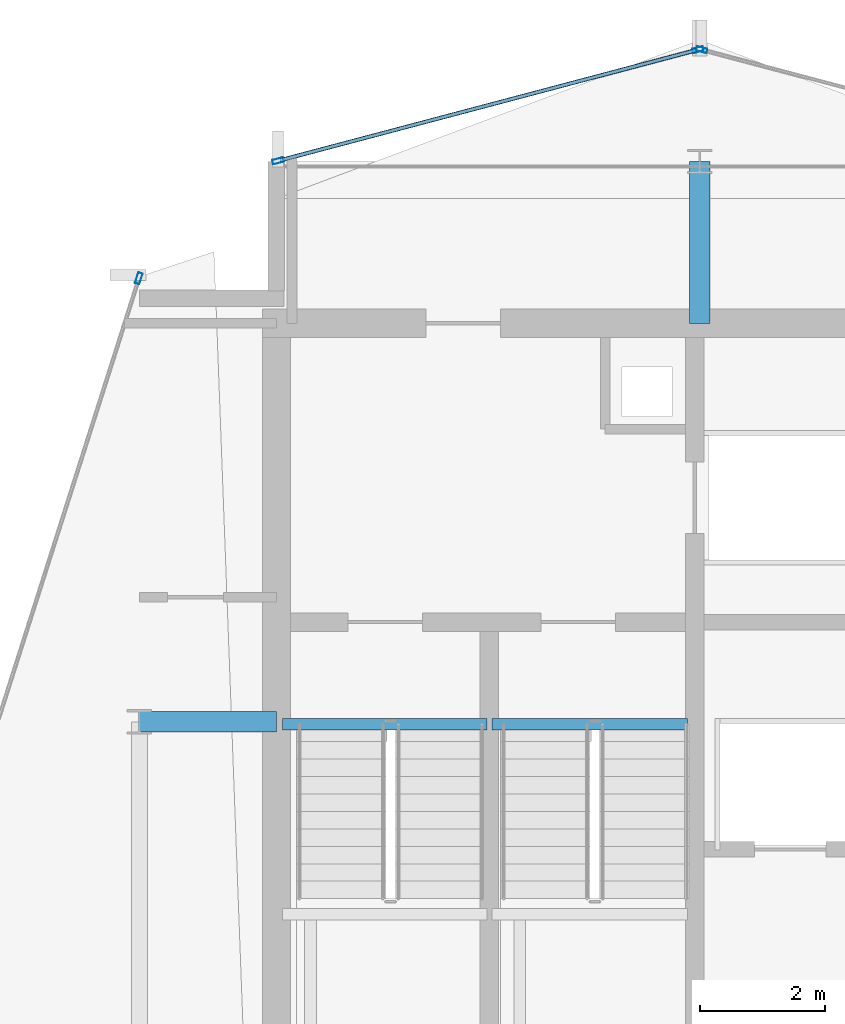
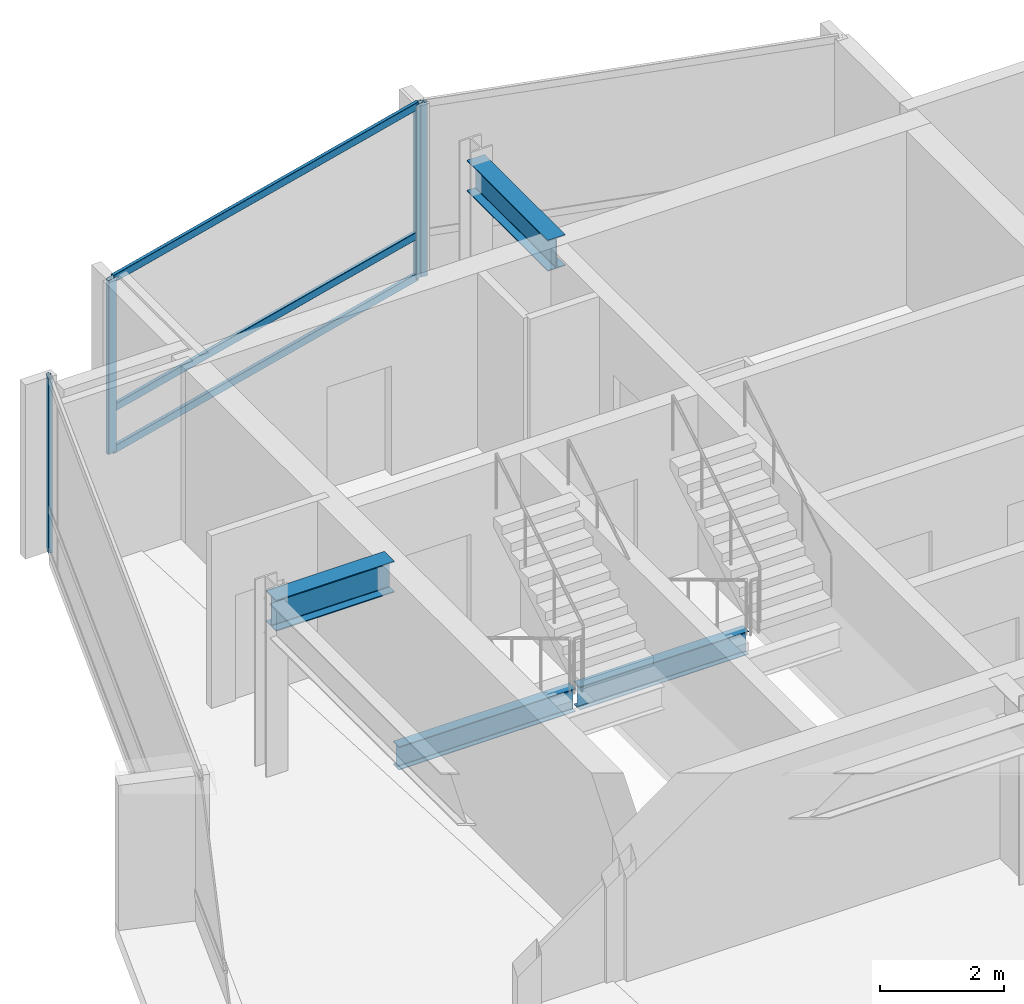
# One storey, part 11 of 19: 7 members, 4 beams, 3 elements without a shape of their own.
"""IFC4 building model written with IfcOpenShell, lengths in metres."""

from ifc_helpers import new_model, si_unit, direction, frame, origin, origin_2d, place, context, subcontext, project, spatial, hollow_rectangle, i_section, extrude, material, layer, layer_set, material_profile, profile_set, type_object, element, aggregate, save


model = new_model("IFC4")

# Units and contexts
model_context = context("Model", 3, precision=1e-05, world=origin(), true_north=direction((0.0, 1.0)))
body_context = subcontext(model_context, "Body", "Model", "MODEL_VIEW")
ifc_project = project(units=[si_unit("LENGTHUNIT", "METRE"), si_unit("AREAUNIT", "SQUARE_METRE"), si_unit("VOLUMEUNIT", "CUBIC_METRE"), si_unit("PLANEANGLEUNIT", "RADIAN"), si_unit("MASSUNIT", "GRAM", prefix="KILO")], contexts=[model_context])

# Site, building, storey
site_placement = place(None, origin())
site = spatial("IfcSite", under=ifc_project, at=site_placement, CompositionType="ELEMENT")
building_placement = place(site_placement, origin())
building = spatial("IfcBuilding", under=site, at=building_placement, Name="Solvaryn Broadcast Tower", CompositionType="ELEMENT")
storey_placement = place(building_placement, frame((0.0, 0.0, 240.800048828125)))
storey = spatial("IfcBuildingStorey", under=building, at=storey_placement, Name="L60", CompositionType="ELEMENT", Elevation=240.800048828125)

# Beams
ifc_material_1 = material(Name="Steel ASTM A992 Grade 50", Category="steel")
ifc_material_profile_1 = material_profile(ifc_material_1, i_section(OverallWidth=0.323974609375, OverallDepth=0.611083984375, WebThickness=0.0126953125, FlangeThickness=0.01904296875, FilletRadius=0.014892578125, at=origin_2d()))
ifc_profile_set_1 = profile_set([ifc_material_profile_1], Name="Steel ASTM A992 Grade 50")
beam_type_1 = type_object("IfcBeamType", Name="BM-B1-W24X104", PredefinedType="BEAM", material=ifc_profile_set_1)
beam_1_placement = place(storey_placement, frame((9.0, 36.0, 3.114501953125), z_axis=(1.0, 0.0, 0.0), x_axis=(0.0, 1.0, 0.0)))
element("IfcBeam", 1, at=beam_1_placement, inside=storey, type_object=beam_type_1, Name="L60 Core Tie Beam CTW1", PredefinedType="BEAM", context=body_context, shape_type="SweptSolid", body=[
    extrude(i_section(OverallWidth=0.323974609375, OverallDepth=0.611083984375, WebThickness=0.0126953125, FlangeThickness=0.01904296875, FilletRadius=0.014892578125, at=origin_2d()), origin(), (0.0, 0.0, 1.0), 2.199951171875),
])
beam_2_placement = place(storey_placement, frame((18.0, 42.39990234375, 3.114501953125), z_axis=(0.0, 1.0, 0.0), x_axis=(-1.0, 0.0, 0.0)))
element("IfcBeam", 2, at=beam_2_placement, inside=storey, type_object=beam_type_1, Name="L60 Core Tie Beam CTW3", PredefinedType="BEAM", context=body_context, shape_type="SweptSolid", body=[
    extrude(i_section(OverallWidth=0.323974609375, OverallDepth=0.611083984375, WebThickness=0.0126953125, FlangeThickness=0.01904296875, FilletRadius=0.014892578125, at=origin_2d()), origin(), (0.0, 0.0, 1.0), 2.60009765625),
])
ifc_material_2 = material(Name="Steel ASTM A992 Grade 50", Category="steel")
ifc_material_profile_2 = material_profile(ifc_material_2, i_section(OverallWidth=0.18994140625, OverallDepth=0.45703125, WebThickness=0.009033203125, FlangeThickness=0.014404296875, FilletRadius=0.011962890625, at=origin_2d()))
ifc_profile_set_2 = profile_set([ifc_material_profile_2], Name="Steel ASTM A992 Grade 50")
beam_type_2 = type_object("IfcBeamType", Name="BM-B4-W18X50", PredefinedType="BEAM", material=ifc_profile_set_2)
beam_3_placement = place(storey_placement, frame((11.300048828125, 35.9599609375, -0.508544921875), z_axis=(1.0, 0.0, 0.0), x_axis=(0.0, 1.0, 0.0)))
element("IfcBeam", 3, at=beam_3_placement, inside=storey, type_object=beam_type_2, Name="L60 ST1 Stair Well Trimmer Beam", PredefinedType="BEAM", context=body_context, shape_type="SweptSolid", body=[
    extrude(i_section(OverallWidth=0.18994140625, OverallDepth=0.45703125, WebThickness=0.009033203125, FlangeThickness=0.014404296875, FilletRadius=0.011962890625, at=origin_2d()), origin(), (0.0, 0.0, 1.0), 3.280029296875),
])
beam_4_placement = place(storey_placement, frame((14.659912109375, 35.9599609375, -0.508544921875), z_axis=(1.0, 0.0, 0.0), x_axis=(0.0, 1.0, 0.0)))
element("IfcBeam", 4, at=beam_4_placement, inside=storey, type_object=beam_type_2, Name="L60 ST2 Stair Well Trimmer Beam", PredefinedType="BEAM", context=body_context, shape_type="SweptSolid", body=[
    extrude(i_section(OverallWidth=0.18994140625, OverallDepth=0.45703125, WebThickness=0.009033203125, FlangeThickness=0.014404296875, FilletRadius=0.011962890625, at=origin_2d()), origin(), (0.0, 0.0, 1.0), 3.14013671875),
])

# Curtain wall, member
ifc_material_3 = material(Name="Aluminium and Terracotta Unitised Curtain Wall", Category="masonry")
ifc_layer = layer(ifc_material_3, 0.199951171875)
ifc_layer_set = layer_set([ifc_layer], Name="CW-SYS2-LOWMID")
curtain_wall_type = type_object("IfcCurtainWallType", Name="CW-SYS2-LOWMID", PredefinedType="NOTDEFINED", material=ifc_layer_set)
curtain_wall_1_placement = place(storey_placement, origin())
curtain_wall_1 = element("IfcCurtainWall", 5, at=curtain_wall_1_placement, inside=storey, type_object=curtain_wall_type, Name="L60 Curtain Wall DR1", PredefinedType="NOTDEFINED")
ifc_material_4 = material(Name="Anodised Aluminium 6063-T6", Category="aluminium")
ifc_material_profile_3 = material_profile(ifc_material_4, hollow_rectangle(XDim=0.074951171875, YDim=0.179931640625, WallThickness=0.00390625, InnerFilletRadius=0.00390625, OuterFilletRadius=0.008056640625, at=origin_2d()))
ifc_profile_set_3 = profile_set([ifc_material_profile_3], Name="Anodised Aluminium 6063-T6")
member_type_1 = type_object("IfcMemberType", Name="CW-MUL-180", PredefinedType="MULLION", material=ifc_profile_set_3)
member_1_placement = place(storey_placement, frame((8.990966796875, 43.120361328125, 0.0), z_axis=(0.0, 0.0, 1.0), x_axis=(0.952794594701, -0.30361564569, 0.0)))
member_1 = element("IfcMember", 6, at=member_1_placement, type_object=member_type_1, Name="CWS2 mullion 1", PredefinedType="MULLION", context=body_context, shape_type="SweptSolid", body=[
    extrude(hollow_rectangle(XDim=0.074951171875, YDim=0.179931640625, WallThickness=0.00390625, InnerFilletRadius=0.00390625, OuterFilletRadius=0.008056640625, at=origin_2d()), origin(), (0.0, 0.0, 1.0), 3.419921875),
])
aggregate(curtain_wall_1, [member_1])

curtain_wall_2_placement = place(storey_placement, origin())
curtain_wall_2 = element("IfcCurtainWall", 7, at=curtain_wall_2_placement, inside=storey, type_object=curtain_wall_type, Name="L60 Curtain Wall NT1", PredefinedType="NOTDEFINED")
member_2_placement = place(storey_placement, frame((18.029052734375, 46.792236328125, 0.0), z_axis=(0.0, 0.0, 1.0), x_axis=(-0.25589256031, -0.966705227863, 0.0)))
member_2 = element("IfcMember", 8, at=member_2_placement, type_object=member_type_1, Name="CWS2 mullion 2", PredefinedType="MULLION", context=body_context, shape_type="SweptSolid", body=[
    extrude(hollow_rectangle(XDim=0.074951171875, YDim=0.179931640625, WallThickness=0.00390625, InnerFilletRadius=0.00390625, OuterFilletRadius=0.008056640625, at=origin_2d()), origin(), (0.0, 0.0, 1.0), 3.419921875),
])
aggregate(curtain_wall_2, [member_2])

# Curtain wall, members
curtain_wall_3_placement = place(storey_placement, origin())
curtain_wall_3 = element("IfcCurtainWall", 9, at=curtain_wall_3_placement, inside=storey, type_object=curtain_wall_type, Name="L60 Curtain Wall NT2", PredefinedType="NOTDEFINED")
member_3_placement = place(storey_placement, frame((17.970947265625, 46.792236328125, 0.0), z_axis=(0.0, 0.0, 1.0), x_axis=(0.25589256031, -0.966705227863, 0.0)))
member_3 = element("IfcMember", 10, at=member_3_placement, type_object=member_type_1, Name="CWS2 mullion 1", PredefinedType="MULLION", context=body_context, shape_type="SweptSolid", body=[
    extrude(hollow_rectangle(XDim=0.074951171875, YDim=0.179931640625, WallThickness=0.00390625, InnerFilletRadius=0.00390625, OuterFilletRadius=0.008056640625, at=origin_2d()), origin(), (0.0, 0.0, 1.0), 3.419921875),
])
member_4_placement = place(storey_placement, frame((11.22900390625, 45.007568359375, 0.0), z_axis=(0.0, 0.0, 1.0), x_axis=(0.25589256031, -0.966705227863, 0.0)))
member_4 = element("IfcMember", 11, at=member_4_placement, type_object=member_type_1, Name="CWS2 mullion 2", PredefinedType="MULLION", context=body_context, shape_type="SweptSolid", body=[
    extrude(hollow_rectangle(XDim=0.074951171875, YDim=0.179931640625, WallThickness=0.00390625, InnerFilletRadius=0.00390625, OuterFilletRadius=0.008056640625, at=origin_2d()), origin(), (0.0, 0.0, 1.0), 3.419921875),
])
ifc_material_5 = material(Name="Anodised Aluminium 6063-T6", Category="aluminium")
ifc_material_profile_4 = material_profile(ifc_material_5, hollow_rectangle(XDim=0.06494140625, YDim=0.14990234375, WallThickness=0.00390625, InnerFilletRadius=0.00390625, OuterFilletRadius=0.008056640625, at=origin_2d()))
ifc_profile_set_4 = profile_set([ifc_material_profile_4], Name="Anodised Aluminium 6063-T6")
member_type_2 = type_object("IfcMemberType", Name="CW-TRN-150", PredefinedType="USERDEFINED", material=ifc_profile_set_4)
member_5_placement = place(storey_placement, frame((17.94189453125, 46.78466796875, 0.030029296875), z_axis=(-0.966703943301, -0.255897413051, 0.0), x_axis=(0.255897413051, -0.966703943301, 0.0)))
member_5 = element("IfcMember", 12, at=member_5_placement, type_object=member_type_2, Name="CWS2 transom 1.1", ObjectType="TRANSOM", PredefinedType="USERDEFINED", context=body_context, shape_type="SweptSolid", body=[
    extrude(hollow_rectangle(XDim=0.06494140625, YDim=0.14990234375, WallThickness=0.00390625, InnerFilletRadius=0.00390625, OuterFilletRadius=0.008056640625, at=origin_2d()), origin(), (0.0, 0.0, 1.0), 6.9140625),
])
member_6_placement = place(storey_placement, frame((17.94189453125, 46.78466796875, 0.849853515625), z_axis=(-0.966703943301, -0.255897413051, 0.0), x_axis=(0.255897413051, -0.966703943301, 0.0)))
member_6 = element("IfcMember", 13, at=member_6_placement, type_object=member_type_2, Name="CWS2 transom 1.2", ObjectType="TRANSOM", PredefinedType="USERDEFINED", context=body_context, shape_type="SweptSolid", body=[
    extrude(hollow_rectangle(XDim=0.06494140625, YDim=0.14990234375, WallThickness=0.00390625, InnerFilletRadius=0.00390625, OuterFilletRadius=0.008056640625, at=origin_2d()), origin(), (0.0, 0.0, 1.0), 6.9140625),
])
member_7_placement = place(storey_placement, frame((17.94189453125, 46.78466796875, 3.389892578125), z_axis=(-0.966703943301, -0.255897413051, 0.0), x_axis=(0.255897413051, -0.966703943301, 0.0)))
member_7 = element("IfcMember", 14, at=member_7_placement, type_object=member_type_2, Name="CWS2 transom 1.3", ObjectType="TRANSOM", PredefinedType="USERDEFINED", context=body_context, shape_type="SweptSolid", body=[
    extrude(hollow_rectangle(XDim=0.06494140625, YDim=0.14990234375, WallThickness=0.00390625, InnerFilletRadius=0.00390625, OuterFilletRadius=0.008056640625, at=origin_2d()), origin(), (0.0, 0.0, 1.0), 6.9140625),
])
aggregate(curtain_wall_3, [member_3, member_4, member_5, member_6, member_7])

save(model, "model.ifc")
